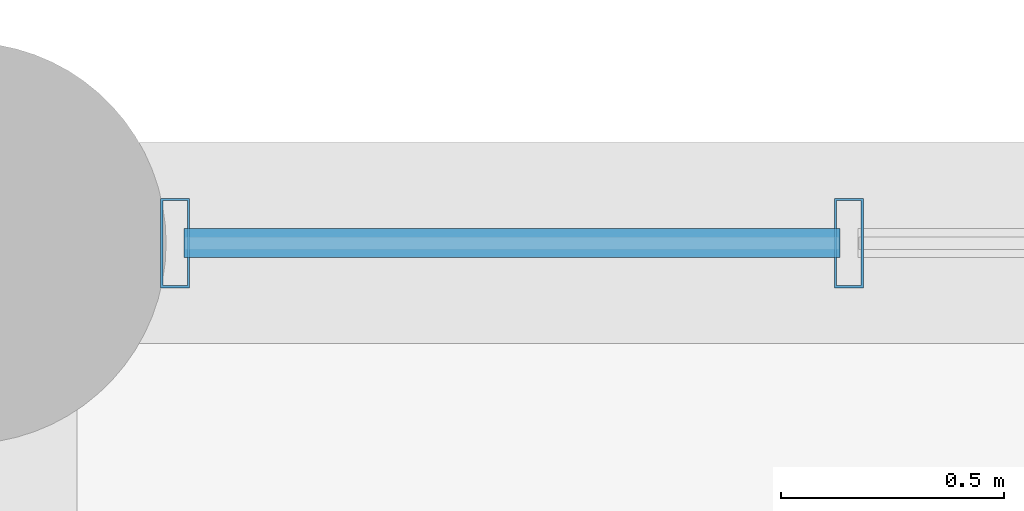
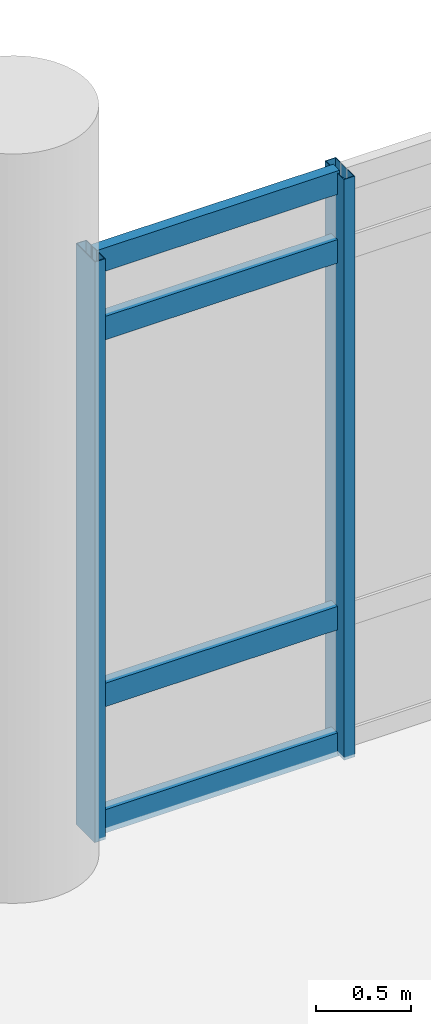
# One storey, part 26 of 87: 6 members, 1 element without a shape of its own.
"""IFC4 building model written with IfcOpenShell, lengths in metres."""

import ifcopenshell
import ifcopenshell.guid

model = None  # the IFC model being written
_history = None  # IfcOwnerHistory: only IFC2X3 demands one
_inside = {}  # id of a spatial element -> (the spatial element, [elements in it])
_under = {}  # id of a project, library or spatial element -> (it, [spatial elements below it])
_declared = {}  # id of a project -> (the project, [libraries it declares])
_typed = {}  # id of a type object -> (the type object, [elements of that type])
_made_of = {}  # id of a material, layer set ... -> (it, [elements and type objects made of it])


def new_model(schema):
    """Start an empty IFC model of exactly this schema.

    Asked for "IFC4X3", IfcOpenShell would pick the latest addendum, in which some entities
    have other attributes; the version numbers below select the first issue.
    IFC2X3 requires an IfcOwnerHistory on every rooted entity: one is made here for all.
    """
    global model, _history
    if schema == "IFC4X3":
        model = ifcopenshell.file(schema_version=(4, 3, 0, 0))
    else:
        model = ifcopenshell.file(schema=schema)
    _inside.clear()
    _under.clear()
    _declared.clear()
    _typed.clear()
    _made_of.clear()
    _history = None
    if model.schema == "IFC2X3":
        org = make("IfcOrganization", Name="unknown")
        user = make(
            "IfcPersonAndOrganization",
            ThePerson=make("IfcPerson", FamilyName="unknown"),
            TheOrganization=org,
        )
        app = make(
            "IfcApplication",
            ApplicationDeveloper=org,
            Version="unknown",
            ApplicationFullName="unknown",
            ApplicationIdentifier="unknown",
        )
        _history = make(
            "IfcOwnerHistory",
            OwningUser=user,
            OwningApplication=app,
            ChangeAction="ADDED",
            CreationDate=0,
        )
    return model


def make(cls, **values):
    """One entity of the class cls with the attributes given. An attribute that is None is left unset."""
    return model.create_entity(
        cls, **{name: value for name, value in values.items() if value is not None}
    )


def rooted(cls, **values):
    """An entity with a GlobalId (a new one), such as an element, a storey or a relation."""
    return make(cls, GlobalId=ifcopenshell.guid.new(), OwnerHistory=_history, **values)


def si_unit(unit_type, name, prefix=None):
    """IfcSIUnit, for example si_unit("LENGTHUNIT", "METRE", prefix="MILLI")."""
    return make("IfcSIUnit", UnitType=unit_type, Prefix=prefix, Name=name)


def assignment(units):
    """IfcUnitAssignment: the units of a project."""
    return None if units is None else make("IfcUnitAssignment", Units=units)


def point(xyz):
    """IfcCartesianPoint."""
    return None if xyz is None else make("IfcCartesianPoint", Coordinates=xyz)


def direction(xyz):
    """IfcDirection."""
    return None if xyz is None else make("IfcDirection", DirectionRatios=xyz)


def frame(location, z_axis=None, x_axis=None):
    """IfcAxis2Placement3D, a coordinate frame: its origin and axes. An axis left out is left unset."""
    return make(
        "IfcAxis2Placement3D",
        Location=point(location),
        Axis=direction(z_axis),
        RefDirection=direction(x_axis),
    )


def frame_2d(location, x_axis=None):
    """IfcAxis2Placement2D, a coordinate frame in the plane: its origin and x axis."""
    return make(
        "IfcAxis2Placement2D", Location=point(location), RefDirection=direction(x_axis)
    )


def origin():
    """The frame at (0, 0, 0) with its axes left unset."""
    return frame((0.0, 0.0, 0.0))


def origin_2d():
    """The frame at (0, 0) in the plane with its x axis left unset."""
    return frame_2d((0.0, 0.0))


def place(relative_to, where):
    """IfcLocalPlacement: puts the frame where relative to a parent placement (None: the world)."""
    return make(
        "IfcLocalPlacement", PlacementRelTo=relative_to, RelativePlacement=where
    )


def context(
    kind, dimensions, precision=None, world=None, true_north=None, identifier=None
):
    """IfcGeometricRepresentationContext, for example the 3D "Model" context."""
    return make(
        "IfcGeometricRepresentationContext",
        ContextIdentifier=identifier,
        ContextType=kind,
        CoordinateSpaceDimension=dimensions,
        Precision=precision,
        WorldCoordinateSystem=world,
        TrueNorth=true_north,
    )


def subcontext(parent, identifier, kind, view, scale=None):
    """IfcGeometricRepresentationSubContext, for example "Body" below "Model"."""
    return make(
        "IfcGeometricRepresentationSubContext",
        ContextIdentifier=identifier,
        ContextType=kind,
        ParentContext=parent,
        TargetScale=scale,
        TargetView=view,
    )


def project(units=None, contexts=None):
    """IfcProject with its units and contexts."""
    return rooted(
        "IfcProject",
        Name="project",
        RepresentationContexts=contexts,
        UnitsInContext=assignment(units),
    )


def spatial(cls, under=None, at=None, **own):
    """A site, building, storey or space (cls), placed at a placement, below another one or the project."""
    s = rooted(cls, ObjectPlacement=at, **own)
    if under is not None:
        _under.setdefault(under.id(), (under, []))[1].append(s)
    return s


def profile(cls, at=None, kind="AREA", **sizes):
    """A parametric profile (cls). Its sizes go by their IFC names, for example OverallWidth=200.0."""
    return make(cls, ProfileType=kind, Position=at, **sizes)


def hollow_rectangle(**sizes):
    """IfcRectangleHollowProfileDef."""
    return profile("IfcRectangleHollowProfileDef", **sizes)


def extrude(swept, where, along, depth):
    """IfcExtrudedAreaSolid: the profile swept, set in the frame where, extruded along a direction by depth."""
    return make(
        "IfcExtrudedAreaSolid",
        SweptArea=swept,
        Position=where,
        ExtrudedDirection=direction(along),
        Depth=depth,
    )


def shape(context_of_items, identifier, shape_type, items):
    """IfcShapeRepresentation: the items that make up one representation, for example the "Body"."""
    return make(
        "IfcShapeRepresentation",
        ContextOfItems=context_of_items,
        RepresentationIdentifier=identifier,
        RepresentationType=shape_type,
        Items=items,
    )


def material(Name=None, Category=None):
    """IfcMaterial."""
    return make("IfcMaterial", Name=Name, Category=Category)


def layer(
    of_material, thickness, ventilated=None, Name=None, Category=None, Priority=None
):
    """IfcMaterialLayer: one layer of a wall or slab, of a material (None: an air gap)."""
    return make(
        "IfcMaterialLayer",
        Material=of_material,
        LayerThickness=thickness,
        IsVentilated=ventilated,
        Name=Name,
        Category=Category,
        Priority=Priority,
    )


def layer_set(layers, Name=None):
    """IfcMaterialLayerSet."""
    return make("IfcMaterialLayerSet", MaterialLayers=layers, LayerSetName=Name)


def material_profile(
    of_material, cross_section, Name=None, Category=None, Priority=None
):
    """IfcMaterialProfile: a cross section and its material."""
    return make(
        "IfcMaterialProfile",
        Name=Name,
        Material=of_material,
        Profile=cross_section,
        Priority=Priority,
        Category=Category,
    )


def profile_set(profiles, Name=None, composite=None):
    """IfcMaterialProfileSet."""
    return make(
        "IfcMaterialProfileSet",
        Name=Name,
        MaterialProfiles=profiles,
        CompositeProfile=composite,
    )


def made_of(thing, what):
    """Note that an element or type object is made of a material, layer set ...; save() writes the relation."""
    if what is not None:
        _made_of.setdefault(what.id(), (what, []))[1].append(thing)
    return thing


def type_object(cls, material=None, **own):
    """A type object (cls), such as IfcWallType, which elements share."""
    return made_of(rooted(cls, **own), material)


def element(
    cls,
    number,
    at=None,
    inside=None,
    cuts=None,
    type_object=None,
    material=None,
    context=None,
    identifier="Body",
    shape_type=None,
    held_by="IfcProductDefinitionShape",
    body=None,
    shapes=None,
    **own,
):
    """One element of the class cls, such as IfcWall. Its Tag is "e" and its number.

    at: its placement. inside: the storey or other place that contains it. cuts: it is an
    opening in that element (IfcRelVoidsElement). A single representation is given by context,
    identifier, shape_type and body (its items); several are given by shapes. held_by: the class
    of the entity that holds the representations. save() writes the other relations.
    """
    e = rooted(cls, Tag="e%d" % number, ObjectPlacement=at, **own)
    if body is not None:
        shapes = [shape(context, identifier, shape_type, body)]
    if shapes is not None:
        e.Representation = make(held_by, Representations=shapes)
    if inside is not None:
        _inside.setdefault(inside.id(), (inside, []))[1].append(e)
    if cuts is not None:
        rooted(
            "IfcRelVoidsElement", RelatingBuildingElement=cuts, RelatedOpeningElement=e
        )
    if type_object is not None:
        _typed.setdefault(type_object.id(), (type_object, []))[1].append(e)
    return made_of(e, material)


def aggregate(whole, parts):
    """IfcRelAggregates: a whole, such as a stair, and the parts it consists of."""
    return rooted("IfcRelAggregates", RelatingObject=whole, RelatedObjects=parts)


def save(model, path):
    """Write the relations noted so far, then the file.

    IfcRelAggregates (storeys below a building ...), IfcRelContainedInSpatialStructure (elements
    in a storey), IfcRelDefinesByType, IfcRelAssociatesMaterial and IfcRelDeclares: one each for
    every whole, place, type object, material and project.
    """
    for whole, parts in _under.values():
        aggregate(whole, parts)
    for where, things in _inside.values():
        rooted(
            "IfcRelContainedInSpatialStructure",
            RelatedElements=things,
            RelatingStructure=where,
        )
    for kind, things in _typed.values():
        rooted("IfcRelDefinesByType", RelatedObjects=things, RelatingType=kind)
    for what, things in _made_of.values():
        rooted("IfcRelAssociatesMaterial", RelatedObjects=things, RelatingMaterial=what)
    for by, libraries in _declared.values():
        rooted("IfcRelDeclares", RelatingContext=by, RelatedDefinitions=libraries)
    model.write(path)


model = new_model("IFC4")

# Units and contexts
model_context = context("Model", 3, precision=1e-05, world=origin(), true_north=direction((0.0, 1.0)))
body_context = subcontext(model_context, "Body", "Model", "MODEL_VIEW")
ifc_project = project(units=[si_unit("LENGTHUNIT", "METRE"), si_unit("AREAUNIT", "SQUARE_METRE"), si_unit("VOLUMEUNIT", "CUBIC_METRE"), si_unit("PLANEANGLEUNIT", "RADIAN"), si_unit("MASSUNIT", "GRAM", prefix="KILO")], contexts=[model_context])

# Site, building, storey
site_placement = place(None, origin())
site = spatial("IfcSite", under=ifc_project, at=site_placement, CompositionType="ELEMENT")
building_placement = place(site_placement, origin())
building = spatial("IfcBuilding", under=site, at=building_placement, Name="Mersad Railyard Sports Hall", CompositionType="ELEMENT")
storey_placement = place(building_placement, origin())
storey = spatial("IfcBuildingStorey", under=building, at=storey_placement, Name="L00", CompositionType="ELEMENT", Elevation=0.0)

# Curtain wall, members
ifc_material = material(Name="Aluminium 6063-T6", Category="aluminium")
ifc_layer = layer(ifc_material, 0.199951171875)
ifc_layer_set = layer_set([ifc_layer], Name="Aluminium 6063-T6")
curtain_wall_type = type_object("IfcCurtainWallType", Name="ARC-CW-CW07", PredefinedType="USERDEFINED", material=ifc_layer_set)
curtain_wall_placement = place(storey_placement, origin())
curtain_wall = element("IfcCurtainWall", 1, at=curtain_wall_placement, inside=storey, type_object=curtain_wall_type, Name="Curtain wall CW07-0033", ObjectType="CURTAIN WALL", PredefinedType="USERDEFINED")
ifc_material_profile_1 = material_profile(ifc_material, hollow_rectangle(XDim=0.06494140625, YDim=0.199951171875, WallThickness=0.0048828125, at=origin_2d()), Name="AL MULLION 65x200x5")
ifc_profile_set_1 = profile_set([ifc_material_profile_1], Name="Aluminium 6063-T6")
member_type_1 = type_object("IfcMemberType", Name="ARC-CW-MUL02", PredefinedType="MULLION", material=ifc_profile_set_1)
member_1_placement = place(storey_placement, frame((101.469970703125, 43.5, -0.02001953125), z_axis=(0.0, 0.0, 1.0), x_axis=(1.0, 0.0, 0.0)))
member_1 = element("IfcMember", 2, at=member_1_placement, type_object=member_type_1, Name="CW07 Mullion 1", PredefinedType="MULLION", context=body_context, shape_type="SweptSolid", body=[
    extrude(hollow_rectangle(XDim=0.06494140625, YDim=0.199951171875, WallThickness=0.0048828125, at=origin_2d()), origin(), (0.0, 0.0, 1.0), 3.719970703125),
])
member_2_placement = place(storey_placement, frame((102.97998046875, 43.5, -0.02001953125), z_axis=(0.0, 0.0, 1.0), x_axis=(1.0, 0.0, 0.0)))
member_2 = element("IfcMember", 3, at=member_2_placement, type_object=member_type_1, Name="CW07 Mullion 2", PredefinedType="MULLION", context=body_context, shape_type="SweptSolid", body=[
    extrude(hollow_rectangle(XDim=0.06494140625, YDim=0.199951171875, WallThickness=0.0048828125, at=origin_2d()), origin(), (0.0, 0.0, 1.0), 3.719970703125),
])
ifc_material_profile_2 = material_profile(ifc_material, hollow_rectangle(XDim=0.06494140625, YDim=0.14990234375, WallThickness=0.00439453125, at=origin_2d()), Name="AL TRANSOM 65x150x4.5")
ifc_profile_set_2 = profile_set([ifc_material_profile_2], Name="Aluminium 6063-T6")
member_type_2 = type_object("IfcMemberType", Name="ARC-CW-TRN02", PredefinedType="USERDEFINED", material=ifc_profile_set_2)
member_3_placement = place(storey_placement, frame((101.489990234375, 43.5, 0.0400390625), z_axis=(1.0, 0.0, 0.0), x_axis=(0.0, 1.0, 0.0)))
member_3 = element("IfcMember", 4, at=member_3_placement, type_object=member_type_2, Name="CW07 Transom 1-1", ObjectType="TRANSOM", PredefinedType="USERDEFINED", context=body_context, shape_type="SweptSolid", body=[
    extrude(hollow_rectangle(XDim=0.06494140625, YDim=0.14990234375, WallThickness=0.00439453125, at=origin_2d()), origin(), (0.0, 0.0, 1.0), 1.469970703125),
])
member_4_placement = place(storey_placement, frame((101.489990234375, 43.5, 0.85009765625), z_axis=(1.0, 0.0, 0.0), x_axis=(0.0, 1.0, 0.0)))
member_4 = element("IfcMember", 5, at=member_4_placement, type_object=member_type_2, Name="CW07 Transom 2-1", ObjectType="TRANSOM", PredefinedType="USERDEFINED", context=body_context, shape_type="SweptSolid", body=[
    extrude(hollow_rectangle(XDim=0.06494140625, YDim=0.14990234375, WallThickness=0.00439453125, at=origin_2d()), origin(), (0.0, 0.0, 1.0), 1.469970703125),
])
member_5_placement = place(storey_placement, frame((101.489990234375, 43.5, 3.199951171875), z_axis=(1.0, 0.0, 0.0), x_axis=(0.0, 1.0, 0.0)))
member_5 = element("IfcMember", 6, at=member_5_placement, type_object=member_type_2, Name="CW07 Transom 3-1", ObjectType="TRANSOM", PredefinedType="USERDEFINED", context=body_context, shape_type="SweptSolid", body=[
    extrude(hollow_rectangle(XDim=0.06494140625, YDim=0.14990234375, WallThickness=0.00439453125, at=origin_2d()), origin(), (0.0, 0.0, 1.0), 1.469970703125),
])
member_6_placement = place(storey_placement, frame((101.489990234375, 43.5, 3.639892578125), z_axis=(1.0, 0.0, 0.0), x_axis=(0.0, 1.0, 0.0)))
member_6 = element("IfcMember", 7, at=member_6_placement, type_object=member_type_2, Name="CW07 Transom 4-1", ObjectType="TRANSOM", PredefinedType="USERDEFINED", context=body_context, shape_type="SweptSolid", body=[
    extrude(hollow_rectangle(XDim=0.06494140625, YDim=0.14990234375, WallThickness=0.00439453125, at=origin_2d()), origin(), (0.0, 0.0, 1.0), 1.469970703125),
])
aggregate(curtain_wall, [member_1, member_2, member_3, member_4, member_5, member_6])

save(model, "model.ifc")
